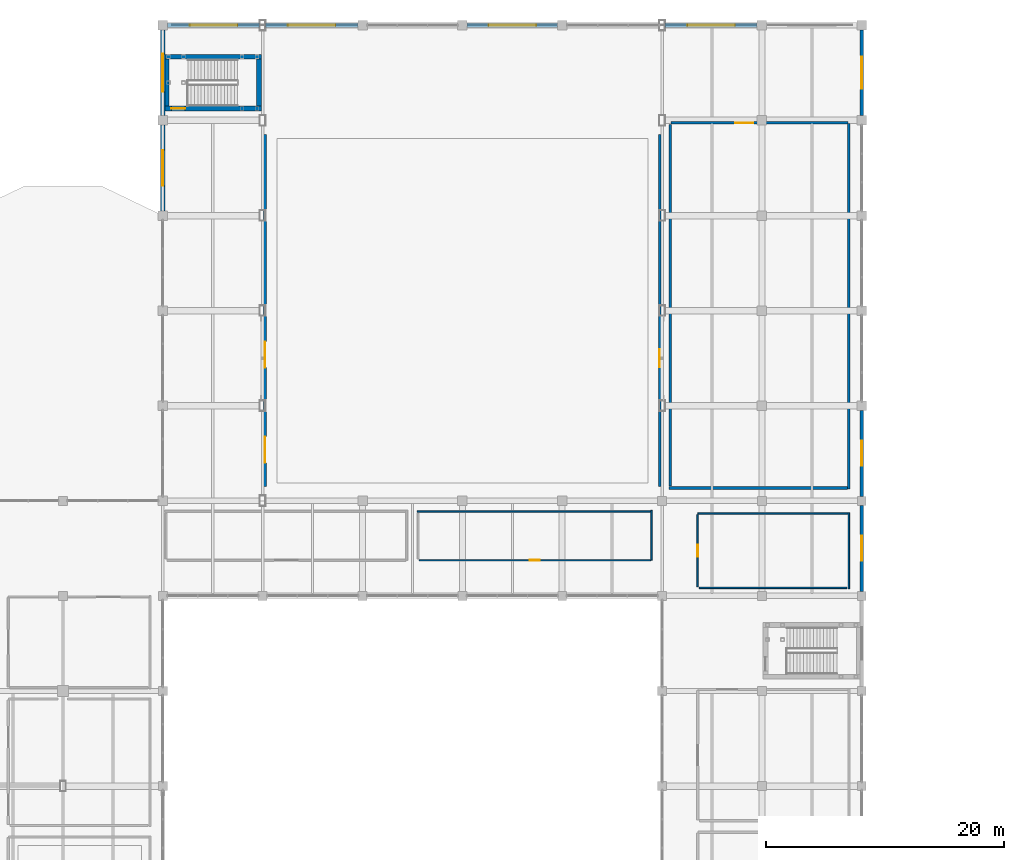
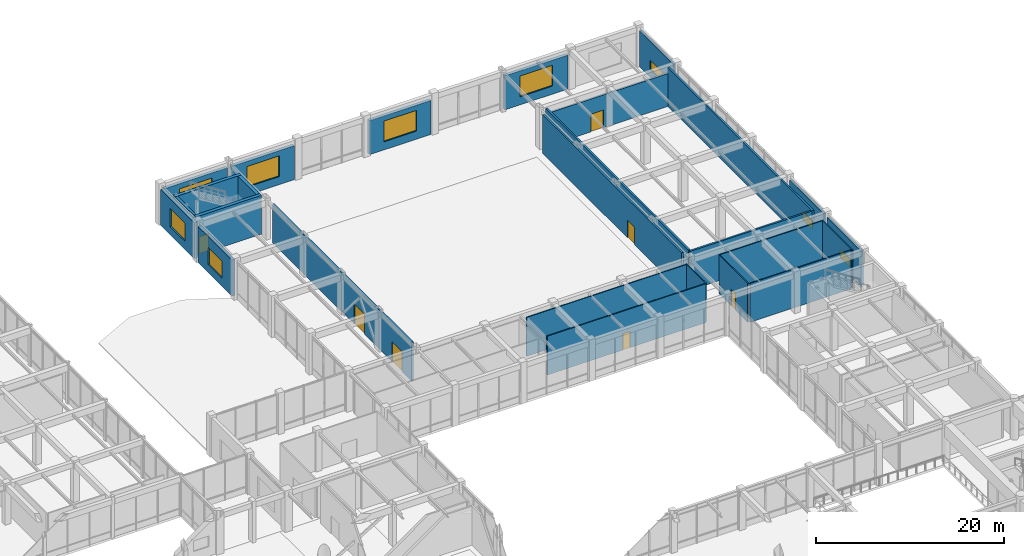
# One storey, part 61 of 79: 26 walls, 9 windows, 7 doors, 16 openings.
"""IFC4 building model written with IfcOpenShell, lengths in metres."""

from ifc_helpers import new_model, si_unit, direction, frame, frame_2d, origin, place, context, subcontext, project, spatial, rectangle, extrude, material, layer, layer_set, type_object, element, fill, save


model = new_model("IFC4")

# Units and contexts
model_context = context("Model", 3, precision=1e-05, world=origin(), true_north=direction((0.0, 1.0)))
body_context = subcontext(model_context, "Body", "Model", "MODEL_VIEW")
ifc_project = project(units=[si_unit("LENGTHUNIT", "METRE"), si_unit("AREAUNIT", "SQUARE_METRE"), si_unit("VOLUMEUNIT", "CUBIC_METRE"), si_unit("PLANEANGLEUNIT", "RADIAN"), si_unit("MASSUNIT", "GRAM", prefix="KILO")], contexts=[model_context])

# Site, building, storey
site_placement = place(None, origin())
site = spatial("IfcSite", under=ifc_project, at=site_placement, CompositionType="ELEMENT")
building_placement = place(site_placement, origin())
building = spatial("IfcBuilding", under=site, at=building_placement, Name="Naruveol Harbour Congress Hotel", CompositionType="ELEMENT")
storey_placement = place(building_placement, frame((0.0, 0.0, 6.0)))
storey = spatial("IfcBuildingStorey", under=building, at=storey_placement, Name="L01", CompositionType="ELEMENT", Elevation=6.0)

# Wall, opening, window
ifc_material_1 = material(Name="Precast concrete C40/50", Category="concrete")
ifc_layer_1 = layer(ifc_material_1, 0.280029296875)
ifc_layer_set_1 = layer_set([ifc_layer_1], Name="Precast concrete C40/50")
wall_type_1 = type_object("IfcWallType", Name="ARCHITECTURAL PRECAST FACADE WALL 280", PredefinedType="SOLIDWALL", material=ifc_layer_set_1)
wall_1_placement = place(storey_placement, frame((126.0, 79.60009765625, 0.0), z_axis=(0.0, 0.0, 1.0), x_axis=(0.0, -1.0, 0.0)))
wall_1 = element("IfcWall", 1, at=wall_1_placement, inside=storey, type_object=wall_type_1, Name="Ballroom east garden wall EW-280", PredefinedType="SOLIDWALL", context=body_context, shape_type="SweptSolid", body=[
    extrude(rectangle(XDim=7.22509765625, YDim=0.280029296875, at=frame_2d((3.612548828125, 0.0))), origin(), (0.0, 0.0, 1.0), 4.669921875),
])
opening_1_placement = place(wall_1_placement, frame((2.56201171875, 0.0, 1.050048828125)))
opening_1 = element("IfcOpeningElement", 2, at=opening_1_placement, cuts=wall_1, Name="Opening W-17", PredefinedType="OPENING", context=body_context, shape_type="SweptSolid", body=[
    extrude(rectangle(XDim=2.10009765625, YDim=1.10009765625, at=frame_2d((1.050048828125, 0.550048828125))), frame((0.0, 0.14990234375, 0.0), z_axis=(0.0, -1.0, 0.0), x_axis=(1.0, 0.0, 0.0)), (0.0, 0.0, 1.0), 0.300048828125),
])
ifc_material_2 = material(Name="Low-E Triple Glazing in Thermal Aluminium", Category="aluminium")
window_type_1 = type_object("IfcWindowType", Name="SPA HIGHLIGHT WINDOW 2100X1100", PartitioningType="DOUBLE_PANEL_VERTICAL", PredefinedType="WINDOW", material=ifc_material_2)
window_1_placement = place(opening_1_placement, origin())
window_1 = element("IfcWindow", 3, at=window_1_placement, inside=storey, type_object=window_type_1, Name="Window W-17 #120", OverallHeight=1.10009765625, OverallWidth=2.10009765625, PartitioningType="DOUBLE_PANEL_VERTICAL", PredefinedType="WINDOW", context=body_context, shape_type="SweptSolid", body=[
    extrude(rectangle(XDim=2.10009765625, YDim=1.10009765625, at=frame_2d((1.050048828125, 0.550048828125))), frame((0.0, 0.030029296875, 0.0), z_axis=(0.0, -1.0, 0.0), x_axis=(1.0, 0.0, 0.0)), (0.0, 0.0, 1.0), 0.06005859375),
])
fill(opening_1, window_1)

wall_2_placement = place(storey_placement, frame((126.0, 111.60009765625, 0.0), z_axis=(0.0, 0.0, 1.0), x_axis=(0.0, -1.0, 0.0)))
wall_2 = element("IfcWall", 4, at=wall_2_placement, inside=storey, type_object=wall_type_1, Name="Ballroom east garden wall EW-280", PredefinedType="SOLIDWALL", context=body_context, shape_type="SweptSolid", body=[
    extrude(rectangle(XDim=7.2001953125, YDim=0.280029296875, at=frame_2d((3.60009765625, 0.0))), origin(), (0.0, 0.0, 1.0), 4.669921875),
])
opening_2_placement = place(wall_2_placement, frame((2.25, 0.0, 1.050048828125)))
opening_2 = element("IfcOpeningElement", 5, at=opening_2_placement, cuts=wall_2, Name="Opening W-18", PredefinedType="OPENING", context=body_context, shape_type="SweptSolid", body=[
    extrude(rectangle(XDim=2.699951171875, YDim=1.199951171875, at=frame_2d((1.35009765625, 0.60009765625))), frame((0.0, 0.14990234375, 0.0), z_axis=(0.0, -1.0, 0.0), x_axis=(1.0, 0.0, 0.0)), (0.0, 0.0, 1.0), 0.300048828125),
])
ifc_material_3 = material(Name="Low-E Triple Glazing in Thermal Aluminium", Category="aluminium")
window_type_2 = type_object("IfcWindowType", Name="BANQUET KITCHEN CLERESTORY 2700X1200", PartitioningType="DOUBLE_PANEL_VERTICAL", PredefinedType="WINDOW", material=ifc_material_3)
window_2_placement = place(opening_2_placement, origin())
window_2 = element("IfcWindow", 6, at=window_2_placement, inside=storey, type_object=window_type_2, Name="Window W-18 #121", OverallHeight=1.199951171875, OverallWidth=2.699951171875, PartitioningType="DOUBLE_PANEL_VERTICAL", PredefinedType="WINDOW", context=body_context, shape_type="SweptSolid", body=[
    extrude(rectangle(XDim=2.699951171875, YDim=1.199951171875, at=frame_2d((1.35009765625, 0.60009765625))), frame((0.0, 0.030029296875, 0.0), z_axis=(0.0, -1.0, 0.0), x_axis=(1.0, 0.0, 0.0)), (0.0, 0.0, 1.0), 0.06005859375),
])
fill(opening_2, window_2)

wall_3_placement = place(storey_placement, frame((126.0, 71.625, 0.0), z_axis=(0.0, 0.0, 1.0), x_axis=(0.0, -1.0, 0.0)))
wall_3 = element("IfcWall", 7, at=wall_3_placement, inside=storey, type_object=wall_type_1, Name="Courtyard wing east garden wall EW-280", PredefinedType="SOLIDWALL", context=body_context, shape_type="SweptSolid", body=[
    extrude(rectangle(XDim=7.25, YDim=0.280029296875, at=frame_2d((3.625, 0.0))), origin(), (0.0, 0.0, 1.0), 4.669921875),
])
opening_3_placement = place(wall_3_placement, frame((2.574951171875, 0.0, 1.0)))
opening_3 = element("IfcOpeningElement", 8, at=opening_3_placement, cuts=wall_3, Name="Opening W-17", PredefinedType="OPENING", context=body_context, shape_type="SweptSolid", body=[
    extrude(rectangle(XDim=2.10009765625, YDim=1.10009765625, at=frame_2d((1.050048828125, 0.550048828125))), frame((0.0, 0.14990234375, 0.0), z_axis=(0.0, -1.0, 0.0), x_axis=(1.0, 0.0, 0.0)), (0.0, 0.0, 1.0), 0.300048828125),
])
window_3_placement = place(opening_3_placement, origin())
window_3 = element("IfcWindow", 9, at=window_3_placement, inside=storey, type_object=window_type_1, Name="Window W-17 #141", OverallHeight=1.10009765625, OverallWidth=2.10009765625, PartitioningType="DOUBLE_PANEL_VERTICAL", PredefinedType="WINDOW", context=body_context, shape_type="SweptSolid", body=[
    extrude(rectangle(XDim=2.10009765625, YDim=1.10009765625, at=frame_2d((1.050048828125, 0.550048828125))), frame((0.0, 0.030029296875, 0.0), z_axis=(0.0, -1.0, 0.0), x_axis=(1.0, 0.0, 0.0)), (0.0, 0.0, 1.0), 0.06005859375),
])
fill(opening_3, window_3)

# Wall, openings, doors
ifc_material_4 = material(Name="Concrete C40/50", Category="concrete")
ifc_layer_2 = layer(ifc_material_4, 0.219970703125)
ifc_layer_set_2 = layer_set([ifc_layer_2], Name="Concrete C40/50")
wall_type_2 = type_object("IfcWallType", Name="FIRE COMPARTMENT AND LOBBY WALL 220 EI120", PredefinedType="PARTITIONING", material=ifc_layer_set_2)
wall_4_placement = place(storey_placement, frame((75.800048828125, 73.199951171875, 0.0), z_axis=(0.0, 0.0, 1.0), x_axis=(0.0, 1.0, 0.0)))
wall_4 = element("IfcWall", 10, at=wall_4_placement, inside=storey, type_object=wall_type_2, Name="Grand Ballroom west acoustic wall FW-220", PredefinedType="PARTITIONING", context=body_context, shape_type="SweptSolid", body=[
    extrude(rectangle(XDim=29.60009765625, YDim=0.219970703125, at=frame_2d((14.800048828125, 0.0))), origin(), (0.0, 0.0, 1.0), 5.044921875),
])
opening_4_placement = place(wall_4_placement, frame((2.0, 0.0, 0.0)))
opening_4 = element("IfcOpeningElement", 11, at=opening_4_placement, cuts=wall_4, Name="Opening AD-BL1", PredefinedType="OPENING", context=body_context, shape_type="SweptSolid", body=[
    extrude(rectangle(XDim=2.199951171875, YDim=2.60009765625, at=frame_2d((1.10009765625, 1.300048828125))), frame((0.0, 0.119873046875, 0.0), z_axis=(0.0, -1.0, 0.0), x_axis=(1.0, 0.0, 0.0)), (0.0, 0.0, 1.0), 0.239990234375),
])
opening_5_placement = place(wall_4_placement, frame((10.0, 0.0, 0.0)))
opening_5 = element("IfcOpeningElement", 12, at=opening_5_placement, cuts=wall_4, Name="Opening AD-BL2", PredefinedType="OPENING", context=body_context, shape_type="SweptSolid", body=[
    extrude(rectangle(XDim=2.199951171875, YDim=2.60009765625, at=frame_2d((1.10009765625, 1.300048828125))), frame((0.0, 0.119873046875, 0.0), z_axis=(0.0, -1.0, 0.0), x_axis=(1.0, 0.0, 0.0)), (0.0, 0.0, 1.0), 0.239990234375),
])
ifc_material_5 = material(Name="Timber & Steel Acoustic Leaf", Category="steel")
door_type_1 = type_object("IfcDoorType", Name="GRAND BALLROOM ACOUSTIC PORTAL DOOR 2200X2600", OperationType="DOUBLE_DOOR_SINGLE_SWING", PredefinedType="DOOR", material=ifc_material_5)
door_1_placement = place(opening_4_placement, origin())
door_1 = element("IfcDoor", 13, at=door_1_placement, inside=storey, type_object=door_type_1, Name="Grand Ballroom Portal Door AD-BL1", OperationType="DOUBLE_DOOR_SINGLE_SWING", OverallHeight=2.60009765625, OverallWidth=2.199951171875, PredefinedType="DOOR", context=body_context, shape_type="SweptSolid", body=[
    extrude(rectangle(XDim=2.199951171875, YDim=2.60009765625, at=frame_2d((1.10009765625, 1.300048828125))), frame((0.0, 0.02490234375, 0.0), z_axis=(0.0, -1.0, 0.0), x_axis=(1.0, 0.0, 0.0)), (0.0, 0.0, 1.0), 0.050048828125),
])
fill(opening_4, door_1)
door_2_placement = place(opening_5_placement, origin())
door_2 = element("IfcDoor", 14, at=door_2_placement, inside=storey, type_object=door_type_1, Name="Grand Ballroom Portal Door AD-BL2", OperationType="DOUBLE_DOOR_SINGLE_SWING", OverallHeight=2.60009765625, OverallWidth=2.199951171875, PredefinedType="DOOR", context=body_context, shape_type="SweptSolid", body=[
    extrude(rectangle(XDim=2.199951171875, YDim=2.60009765625, at=frame_2d((1.10009765625, 1.300048828125))), frame((0.0, 0.02490234375, 0.0), z_axis=(0.0, -1.0, 0.0), x_axis=(1.0, 0.0, 0.0)), (0.0, 0.0, 1.0), 0.050048828125),
])
fill(opening_5, door_2)

# Wall, opening, door
wall_5_placement = place(storey_placement, frame((109.0, 73.199951171875, 0.0), z_axis=(0.0, 0.0, 1.0), x_axis=(0.0, 1.0, 0.0)))
wall_5 = element("IfcWall", 15, at=wall_5_placement, inside=storey, type_object=wall_type_2, Name="Grand Ballroom east service wall FW-220", PredefinedType="PARTITIONING", context=body_context, shape_type="SweptSolid", body=[
    extrude(rectangle(XDim=29.60009765625, YDim=0.219970703125, at=frame_2d((14.800048828125, 0.0))), origin(), (0.0, 0.0, 1.0), 5.044921875),
])
opening_6_placement = place(wall_5_placement, frame((10.050048828125, 0.0, 0.0)))
opening_6 = element("IfcOpeningElement", 16, at=opening_6_placement, cuts=wall_5, Name="Opening FD-BLK1", PredefinedType="OPENING", context=body_context, shape_type="SweptSolid", body=[
    extrude(rectangle(XDim=1.5, YDim=2.300048828125, at=frame_2d((0.75, 1.14990234375))), frame((0.0, 0.119873046875, 0.0), z_axis=(0.0, -1.0, 0.0), x_axis=(1.0, 0.0, 0.0)), (0.0, 0.0, 1.0), 0.239990234375),
])
ifc_material_6 = material(Name="Timber & Steel Acoustic Leaf", Category="steel")
door_type_2 = type_object("IfcDoorType", Name="BANQUET KITCHEN SERVICE FIRE DOOR 1500X2300", OperationType="DOUBLE_DOOR_SINGLE_SWING", PredefinedType="DOOR", material=ifc_material_6)
door_3_placement = place(opening_6_placement, origin())
door_3 = element("IfcDoor", 17, at=door_3_placement, inside=storey, type_object=door_type_2, Name="Ballroom Banquet Service Fire Door FD-BLK1", OperationType="DOUBLE_DOOR_SINGLE_SWING", OverallHeight=2.300048828125, OverallWidth=1.5, PredefinedType="DOOR", context=body_context, shape_type="SweptSolid", body=[
    extrude(rectangle(XDim=1.5, YDim=2.300048828125, at=frame_2d((0.75, 1.14990234375))), frame((0.0, 0.02490234375, 0.0), z_axis=(0.0, -1.0, 0.0), x_axis=(1.0, 0.0, 0.0)), (0.0, 0.0, 1.0), 0.050048828125),
])
fill(opening_6, door_3)

wall_6_placement = place(storey_placement, frame((109.9599609375, 103.800048828125, 0.0), z_axis=(0.0, 0.0, 1.0), x_axis=(1.0, 0.0, 0.0)))
wall_6 = element("IfcWall", 18, at=wall_6_placement, inside=storey, type_object=wall_type_2, Name="Banquet Finishing Kitchen north entry wall FW-220", PredefinedType="PARTITIONING", context=body_context, shape_type="SweptSolid", body=[
    extrude(rectangle(XDim=14.880126953125, YDim=0.219970703125, at=frame_2d((7.43994140625, 0.0))), origin(), (0.0, 0.0, 1.0), 4.27001953125),
])
opening_7_placement = place(wall_6_placement, frame((5.39990234375, 0.0, 0.0)))
opening_7 = element("IfcOpeningElement", 19, at=opening_7_placement, cuts=wall_6, Name="Opening FD-KT-41", PredefinedType="OPENING", context=body_context, shape_type="SweptSolid", body=[
    extrude(rectangle(XDim=1.5, YDim=2.300048828125, at=frame_2d((0.75, 1.14990234375))), frame((0.0, 0.119873046875, 0.0), z_axis=(0.0, -1.0, 0.0), x_axis=(1.0, 0.0, 0.0)), (0.0, 0.0, 1.0), 0.239990234375),
])
door_4_placement = place(opening_7_placement, origin())
door_4 = element("IfcDoor", 20, at=door_4_placement, inside=storey, type_object=door_type_2, Name="Banquet Finishing Kitchen Fire Door", OperationType="DOUBLE_DOOR_SINGLE_SWING", OverallHeight=2.300048828125, OverallWidth=1.5, PredefinedType="DOOR", context=body_context, shape_type="SweptSolid", body=[
    extrude(rectangle(XDim=1.5, YDim=2.300048828125, at=frame_2d((0.75, 1.14990234375))), frame((0.0, 0.02490234375, 0.0), z_axis=(0.0, -1.0, 0.0), x_axis=(1.0, 0.0, 0.0)), (0.0, 0.0, 1.0), 0.050048828125),
])
fill(opening_7, door_4)

# Walls
wall_7_placement = place(storey_placement, frame((109.8798828125, 73.25, 0.0), z_axis=(0.0, 0.0, 1.0), x_axis=(0.0, 1.0, 0.0)))
element("IfcWall", 21, at=wall_7_placement, inside=storey, type_object=wall_type_2, Name="Banquet Finishing Kitchen west partition FW-220", PredefinedType="PARTITIONING", context=body_context, shape_type="SweptSolid", body=[
    extrude(rectangle(XDim=30.409912109375, YDim=0.219970703125, at=frame_2d((15.205078125, 0.0))), origin(), (0.0, 0.0, 1.0), 5.044921875),
])
wall_8_placement = place(storey_placement, frame((124.919921875, 73.0, 0.0), z_axis=(0.0, 0.0, 1.0), x_axis=(0.0, 1.0, 0.0)))
element("IfcWall", 22, at=wall_8_placement, inside=storey, type_object=wall_type_2, Name="Banquet Finishing Kitchen east enclosure partition FW-220", PredefinedType="PARTITIONING", context=body_context, shape_type="SweptSolid", body=[
    extrude(rectangle(XDim=30.748046875, YDim=0.219970703125, at=frame_2d((15.3740234375, 0.0))), origin(), (0.0, 0.0, 1.0), 5.044921875),
])
wall_9_placement = place(storey_placement, frame((109.800048828125, 73.080078125, 0.0), z_axis=(0.0, 0.0, 1.0), x_axis=(1.0, 0.0, 0.0)))
element("IfcWall", 23, at=wall_9_placement, inside=storey, type_object=wall_type_2, Name="Banquet Finishing Kitchen south enclosure partition FW-220", PredefinedType="PARTITIONING", context=body_context, shape_type="SweptSolid", body=[
    extrude(rectangle(XDim=15.010009765625, YDim=0.219970703125, at=frame_2d((7.5048828125, 0.0))), origin(), (0.0, 0.0, 1.0), 5.044921875),
])

# Wall, opening, window
ifc_material_7 = material(Name="Concrete C40/50", Category="concrete")
ifc_layer_3 = layer(ifc_material_7, 0.3798828125)
ifc_layer_set_3 = layer_set([ifc_layer_3], Name="Concrete C40/50")
wall_type_3 = type_object("IfcWallType", Name="INSULATED GRANITE FACADE WALL 380", PredefinedType="SOLIDWALL", material=ifc_layer_set_3)
wall_10_placement = place(storey_placement, frame((67.199951171875, 96.39990234375, 0.0), z_axis=(0.0, 0.0, 1.0), x_axis=(0.0, 1.0, 0.0)))
wall_10 = element("IfcWall", 24, at=wall_10_placement, inside=storey, type_object=wall_type_3, Name="Ballroom west forecourt wall EW-380", PredefinedType="SOLIDWALL", context=body_context, shape_type="SweptSolid", body=[
    extrude(rectangle(XDim=7.2001953125, YDim=0.3798828125, at=frame_2d((3.60009765625, 0.0))), origin(), (0.0, 0.0, 1.0), 4.669921875),
])
opening_8_placement = place(wall_10_placement, frame((2.10009765625, 0.0, 1.050048828125)))
opening_8 = element("IfcOpeningElement", 25, at=opening_8_placement, cuts=wall_10, Name="Opening W-10", PredefinedType="OPENING", context=body_context, shape_type="SweptSolid", body=[
    extrude(rectangle(XDim=3.0, YDim=2.199951171875, at=frame_2d((1.5, 1.10009765625))), frame((0.0, 0.199951171875, 0.0), z_axis=(0.0, -1.0, 0.0), x_axis=(1.0, 0.0, 0.0)), (0.0, 0.0, 1.0), 0.39990234375),
])
ifc_material_8 = material(Name="Low-E Triple Glazing in Thermal Aluminium", Category="aluminium")
window_type_3 = type_object("IfcWindowType", Name="SKY LOUNGE RIBBON WINDOW 3000X2200", PartitioningType="DOUBLE_PANEL_VERTICAL", PredefinedType="WINDOW", material=ifc_material_8)
window_4_placement = place(opening_8_placement, origin())
window_4 = element("IfcWindow", 26, at=window_4_placement, inside=storey, type_object=window_type_3, Name="Window W-10 #113", OverallHeight=2.199951171875, OverallWidth=3.0, PartitioningType="DOUBLE_PANEL_VERTICAL", PredefinedType="WINDOW", context=body_context, shape_type="SweptSolid", body=[
    extrude(rectangle(XDim=3.0, YDim=2.199951171875, at=frame_2d((1.5, 1.10009765625))), frame((0.0, 0.030029296875, 0.0), z_axis=(0.0, -1.0, 0.0), x_axis=(1.0, 0.0, 0.0)), (0.0, 0.0, 1.0), 0.06005859375),
])
fill(opening_8, window_4)

wall_11_placement = place(storey_placement, frame((67.199951171875, 104.39990234375, 0.0), z_axis=(0.0, 0.0, 1.0), x_axis=(0.0, 1.0, 0.0)))
wall_11 = element("IfcWall", 27, at=wall_11_placement, inside=storey, type_object=wall_type_3, Name="Ballroom west forecourt wall EW-380", PredefinedType="SOLIDWALL", context=body_context, shape_type="SweptSolid", body=[
    extrude(rectangle(XDim=7.2001953125, YDim=0.3798828125, at=frame_2d((3.60009765625, 0.0))), origin(), (0.0, 0.0, 1.0), 4.669921875),
])
opening_9_placement = place(wall_11_placement, frame((2.0, 0.0, 1.050048828125)))
opening_9 = element("IfcOpeningElement", 28, at=opening_9_placement, cuts=wall_11, Name="Opening W-11", PredefinedType="OPENING", context=body_context, shape_type="SweptSolid", body=[
    extrude(rectangle(XDim=3.199951171875, YDim=2.39990234375, at=frame_2d((1.60009765625, 1.199951171875))), frame((0.0, 0.199951171875, 0.0), z_axis=(0.0, -1.0, 0.0), x_axis=(1.0, 0.0, 0.0)), (0.0, 0.0, 1.0), 0.39990234375),
])
ifc_material_9 = material(Name="Low-E Triple Glazing in Thermal Aluminium", Category="aluminium")
window_type_4 = type_object("IfcWindowType", Name="BRASSERIE WATERFRONT WINDOW 3200X2400", PartitioningType="DOUBLE_PANEL_VERTICAL", PredefinedType="WINDOW", material=ifc_material_9)
window_5_placement = place(opening_9_placement, origin())
window_5 = element("IfcWindow", 29, at=window_5_placement, inside=storey, type_object=window_type_4, Name="Window W-11 #114", OverallHeight=2.39990234375, OverallWidth=3.199951171875, PartitioningType="DOUBLE_PANEL_VERTICAL", PredefinedType="WINDOW", context=body_context, shape_type="SweptSolid", body=[
    extrude(rectangle(XDim=3.199951171875, YDim=2.39990234375, at=frame_2d((1.60009765625, 1.199951171875))), frame((0.0, 0.030029296875, 0.0), z_axis=(0.0, -1.0, 0.0), x_axis=(1.0, 0.0, 0.0)), (0.0, 0.0, 1.0), 0.06005859375),
])
fill(opening_9, window_5)

wall_12_placement = place(storey_placement, frame((67.60009765625, 112.0, 0.0), z_axis=(0.0, 0.0, 1.0), x_axis=(1.0, 0.0, 0.0)))
wall_12 = element("IfcWall", 30, at=wall_12_placement, inside=storey, type_object=wall_type_3, Name="Ballroom north facade EW-380", PredefinedType="SOLIDWALL", context=body_context, shape_type="SweptSolid", body=[
    extrude(rectangle(XDim=7.75, YDim=0.3798828125, at=frame_2d((3.875, 0.0))), origin(), (0.0, 0.0, 1.0), 4.419921875),
])
opening_10_placement = place(wall_12_placement, frame((1.875, 0.0, 1.050048828125)))
opening_10 = element("IfcOpeningElement", 31, at=opening_10_placement, cuts=wall_12, Name="Opening W-13", PredefinedType="OPENING", context=body_context, shape_type="SweptSolid", body=[
    extrude(rectangle(XDim=4.0, YDim=2.699951171875, at=frame_2d((2.0, 1.35009765625))), frame((0.0, 0.199951171875, 0.0), z_axis=(0.0, -1.0, 0.0), x_axis=(1.0, 0.0, 0.0)), (0.0, 0.0, 1.0), 0.39990234375),
])
ifc_material_10 = material(Name="Low-E Triple Glazing in Thermal Aluminium", Category="aluminium")
window_type_5 = type_object("IfcWindowType", Name="BALLROOM GALLERY WINDOW 4000X2700", PartitioningType="DOUBLE_PANEL_VERTICAL", PredefinedType="WINDOW", material=ifc_material_10)
window_6_placement = place(opening_10_placement, origin())
window_6 = element("IfcWindow", 32, at=window_6_placement, inside=storey, type_object=window_type_5, Name="Window W-13 #115", OverallHeight=2.699951171875, OverallWidth=4.0, PartitioningType="DOUBLE_PANEL_VERTICAL", PredefinedType="WINDOW", context=body_context, shape_type="SweptSolid", body=[
    extrude(rectangle(XDim=4.0, YDim=2.699951171875, at=frame_2d((2.0, 1.35009765625))), frame((0.0, 0.030029296875, 0.0), z_axis=(0.0, -1.0, 0.0), x_axis=(1.0, 0.0, 0.0)), (0.0, 0.0, 1.0), 0.06005859375),
])
fill(opening_10, window_6)

wall_13_placement = place(storey_placement, frame((75.85009765625, 112.0, 0.0), z_axis=(0.0, 0.0, 1.0), x_axis=(1.0, 0.0, 0.0)))
wall_13 = element("IfcWall", 33, at=wall_13_placement, inside=storey, type_object=wall_type_3, Name="Ballroom north facade EW-380", PredefinedType="SOLIDWALL", context=body_context, shape_type="SweptSolid", body=[
    extrude(rectangle(XDim=7.75, YDim=0.3798828125, at=frame_2d((3.875, 0.0))), origin(), (0.0, 0.0, 1.0), 4.419921875),
])
opening_11_placement = place(wall_13_placement, frame((1.875, 0.0, 1.050048828125)))
opening_11 = element("IfcOpeningElement", 34, at=opening_11_placement, cuts=wall_13, Name="Opening W-13", PredefinedType="OPENING", context=body_context, shape_type="SweptSolid", body=[
    extrude(rectangle(XDim=4.0, YDim=2.699951171875, at=frame_2d((2.0, 1.35009765625))), frame((0.0, 0.199951171875, 0.0), z_axis=(0.0, -1.0, 0.0), x_axis=(1.0, 0.0, 0.0)), (0.0, 0.0, 1.0), 0.39990234375),
])
window_7_placement = place(opening_11_placement, origin())
window_7 = element("IfcWindow", 35, at=window_7_placement, inside=storey, type_object=window_type_5, Name="Window W-13 #116", OverallHeight=2.699951171875, OverallWidth=4.0, PartitioningType="DOUBLE_PANEL_VERTICAL", PredefinedType="WINDOW", context=body_context, shape_type="SweptSolid", body=[
    extrude(rectangle(XDim=4.0, YDim=2.699951171875, at=frame_2d((2.0, 1.35009765625))), frame((0.0, 0.030029296875, 0.0), z_axis=(0.0, -1.0, 0.0), x_axis=(1.0, 0.0, 0.0)), (0.0, 0.0, 1.0), 0.06005859375),
])
fill(opening_11, window_7)

wall_14_placement = place(storey_placement, frame((92.800048828125, 112.0, 0.0), z_axis=(0.0, 0.0, 1.0), x_axis=(1.0, 0.0, 0.0)))
wall_14 = element("IfcWall", 36, at=wall_14_placement, inside=storey, type_object=wall_type_3, Name="Ballroom north facade EW-380", PredefinedType="SOLIDWALL", context=body_context, shape_type="SweptSolid", body=[
    extrude(rectangle(XDim=7.599853515625, YDim=0.3798828125, at=frame_2d((3.7998046875, 0.0))), origin(), (0.0, 0.0, 1.0), 4.419921875),
])
opening_12_placement = place(wall_14_placement, frame((1.800048828125, 0.0, 1.050048828125)))
opening_12 = element("IfcOpeningElement", 37, at=opening_12_placement, cuts=wall_14, Name="Opening W-13", PredefinedType="OPENING", context=body_context, shape_type="SweptSolid", body=[
    extrude(rectangle(XDim=4.0, YDim=2.699951171875, at=frame_2d((2.0, 1.35009765625))), frame((0.0, 0.199951171875, 0.0), z_axis=(0.0, -1.0, 0.0), x_axis=(1.0, 0.0, 0.0)), (0.0, 0.0, 1.0), 0.39990234375),
])
window_8_placement = place(opening_12_placement, origin())
window_8 = element("IfcWindow", 38, at=window_8_placement, inside=storey, type_object=window_type_5, Name="Window W-13 #117", OverallHeight=2.699951171875, OverallWidth=4.0, PartitioningType="DOUBLE_PANEL_VERTICAL", PredefinedType="WINDOW", context=body_context, shape_type="SweptSolid", body=[
    extrude(rectangle(XDim=4.0, YDim=2.699951171875, at=frame_2d((2.0, 1.35009765625))), frame((0.0, 0.030029296875, 0.0), z_axis=(0.0, -1.0, 0.0), x_axis=(1.0, 0.0, 0.0)), (0.0, 0.0, 1.0), 0.06005859375),
])
fill(opening_12, window_8)

wall_15_placement = place(storey_placement, frame((109.449951171875, 112.0, 0.0), z_axis=(0.0, 0.0, 1.0), x_axis=(1.0, 0.0, 0.0)))
wall_15 = element("IfcWall", 39, at=wall_15_placement, inside=storey, type_object=wall_type_3, Name="Ballroom north facade EW-380", PredefinedType="SOLIDWALL", context=body_context, shape_type="SweptSolid", body=[
    extrude(rectangle(XDim=7.75, YDim=0.3798828125, at=frame_2d((3.875, 0.0))), origin(), (0.0, 0.0, 1.0), 4.419921875),
])
opening_13_placement = place(wall_15_placement, frame((1.875, 0.0, 1.050048828125)))
opening_13 = element("IfcOpeningElement", 40, at=opening_13_placement, cuts=wall_15, Name="Opening W-13", PredefinedType="OPENING", context=body_context, shape_type="SweptSolid", body=[
    extrude(rectangle(XDim=4.0, YDim=2.699951171875, at=frame_2d((2.0, 1.35009765625))), frame((0.0, 0.199951171875, 0.0), z_axis=(0.0, -1.0, 0.0), x_axis=(1.0, 0.0, 0.0)), (0.0, 0.0, 1.0), 0.39990234375),
])
window_9_placement = place(opening_13_placement, origin())
window_9 = element("IfcWindow", 41, at=window_9_placement, inside=storey, type_object=window_type_5, Name="Window W-13 #118", OverallHeight=2.699951171875, OverallWidth=4.0, PartitioningType="DOUBLE_PANEL_VERTICAL", PredefinedType="WINDOW", context=body_context, shape_type="SweptSolid", body=[
    extrude(rectangle(XDim=4.0, YDim=2.699951171875, at=frame_2d((2.0, 1.35009765625))), frame((0.0, 0.030029296875, 0.0), z_axis=(0.0, -1.0, 0.0), x_axis=(1.0, 0.0, 0.0)), (0.0, 0.0, 1.0), 0.06005859375),
])
fill(opening_13, window_9)

# Wall, opening, door
ifc_material_11 = material(Name="Concrete C50/60", Category="concrete")
ifc_layer_4 = layer(ifc_material_11, 0.39990234375)
ifc_layer_set_4 = layer_set([ifc_layer_4], Name="Concrete C50/60")
wall_type_4 = type_object("IfcWallType", Name="RC CORE SHEAR WALL 400 EI120", PredefinedType="SHEAR", material=ifc_layer_set_4)
wall_16_placement = place(storey_placement, frame((67.39990234375, 105.0, 0.0), z_axis=(0.0, 0.0, 1.0), x_axis=(1.0, 0.0, 0.0)))
wall_16 = element("IfcWall", 42, at=wall_16_placement, inside=storey, type_object=wall_type_4, Name="Stair ST8 south core wall CW-400", PredefinedType="SHEAR", context=body_context, shape_type="SweptSolid", body=[
    extrude(rectangle(XDim=8.10009765625, YDim=0.39990234375, at=frame_2d((4.050048828125, 0.0))), origin(), (0.0, 0.0, 1.0), 5.044921875),
])
opening_14_placement = place(wall_16_placement, frame((0.52001953125, 0.0, 0.0)))
opening_14 = element("IfcOpeningElement", 43, at=opening_14_placement, cuts=wall_16, Name="Opening FD-ST8-L01", PredefinedType="OPENING", context=body_context, shape_type="SweptSolid", body=[
    extrude(rectangle(XDim=1.159912109375, YDim=2.199951171875, at=frame_2d((0.580078125, 1.10009765625))), frame((0.0, 0.2099609375, 0.0), z_axis=(0.0, -1.0, 0.0), x_axis=(1.0, 0.0, 0.0)), (0.0, 0.0, 1.0), 0.419921875),
])
ifc_material_12 = material(Name="Timber & Steel Acoustic Leaf", Category="steel")
door_type_3 = type_object("IfcDoorType", Name="SPECIAL ESCAPE STAIR FIRE DOOR 1160X2200", OperationType="NOTDEFINED", PredefinedType="DOOR", material=ifc_material_12)
door_5_placement = place(opening_14_placement, origin())
door_5 = element("IfcDoor", 44, at=door_5_placement, inside=storey, type_object=door_type_3, Name="Enclosed Exit Stair Door ST8 L01", OperationType="SINGLE_SWING_LEFT", OverallHeight=2.199951171875, OverallWidth=1.159912109375, PredefinedType="DOOR", context=body_context, shape_type="SweptSolid", body=[
    extrude(rectangle(XDim=1.159912109375, YDim=2.199951171875, at=frame_2d((0.580078125, 1.10009765625))), frame((0.0, 0.02490234375, 0.0), z_axis=(0.0, -1.0, 0.0), x_axis=(1.0, 0.0, 0.0)), (0.0, 0.0, 1.0), 0.050048828125),
])
fill(opening_14, door_5)

# Walls
wall_17_placement = place(storey_placement, frame((75.300048828125, 105.205078125, 0.0), z_axis=(0.0, 0.0, 1.0), x_axis=(0.0, 1.0, 0.0)))
element("IfcWall", 45, at=wall_17_placement, inside=storey, type_object=wall_type_4, Name="Stair ST8 east core wall CW-400", PredefinedType="SHEAR", context=body_context, shape_type="SweptSolid", body=[
    extrude(rectangle(XDim=3.949951171875, YDim=0.39990234375, at=frame_2d((1.97509765625, 0.0))), origin(), (0.0, 0.0, 1.0), 5.044921875),
])
wall_18_placement = place(storey_placement, frame((67.39990234375, 109.360107421875, 0.0), z_axis=(0.0, 0.0, 1.0), x_axis=(1.0, 0.0, 0.0)))
element("IfcWall", 46, at=wall_18_placement, inside=storey, type_object=wall_type_4, Name="Stair ST8 north core wall CW-400", PredefinedType="SHEAR", context=body_context, shape_type="SweptSolid", body=[
    extrude(rectangle(XDim=8.10009765625, YDim=0.39990234375, at=frame_2d((4.050048828125, 0.0))), origin(), (0.0, 0.0, 1.0), 5.044921875),
])
ifc_material_13 = material(Name="Concrete C50/60", Category="concrete")
ifc_layer_5 = layer(ifc_material_13, 0.300048828125)
ifc_layer_set_5 = layer_set([ifc_layer_5], Name="Concrete C50/60")
wall_type_5 = type_object("IfcWallType", Name="RC STAIR AND HOISTWAY SHEAR WALL 300 EI120", PredefinedType="SHEAR", material=ifc_layer_set_5)
wall_19_placement = place(storey_placement, frame((67.550048828125, 105.205078125, 0.0), z_axis=(0.0, 0.0, 1.0), x_axis=(0.0, 1.0, 0.0)))
element("IfcWall", 47, at=wall_19_placement, inside=storey, type_object=wall_type_5, Name="Stair ST8 west core wall SW-300", PredefinedType="SHEAR", context=body_context, shape_type="SweptSolid", body=[
    extrude(rectangle(XDim=3.949951171875, YDim=0.300048828125, at=frame_2d((1.97509765625, 0.0))), origin(), (0.0, 0.0, 1.0), 5.044921875),
])

# Wall, opening, door
ifc_material_14 = material(Name="Acoustic Double Stud Gypsum", Category="gypsum")
ifc_layer_6 = layer(ifc_material_14, 0.125)
ifc_layer_set_6 = layer_set([ifc_layer_6], Name="Acoustic Double Stud Gypsum")
wall_type_6 = type_object("IfcWallType", Name="SERVICE CHASE PARTITION WALL 125", PredefinedType="PARTITIONING", material=ifc_layer_set_6)
wall_20_placement = place(storey_placement, frame((88.760009765625, 67.0, 0.0), z_axis=(0.0, 0.0, 1.0), x_axis=(1.0, 0.0, 0.0)))
wall_20 = element("IfcWall", 48, at=wall_20_placement, inside=storey, type_object=wall_type_6, Name="Public Restrooms south entry wall PW-125", PredefinedType="PARTITIONING", context=body_context, shape_type="SweptSolid", body=[
    extrude(rectangle(XDim=19.47998046875, YDim=0.125, at=frame_2d((9.739990234375, 0.0))), origin(), (0.0, 0.0, 1.0), 5.044921875),
])
opening_15_placement = place(wall_20_placement, frame((9.31005859375, 0.0, 0.0)))
opening_15 = element("IfcOpeningElement", 49, at=opening_15_placement, cuts=wall_20, Name="Opening BD-WC-L01-48", PredefinedType="OPENING", context=body_context, shape_type="SweptSolid", body=[
    extrude(rectangle(XDim=0.860107421875, YDim=2.1201171875, at=frame_2d((0.43017578125, 1.06005859375))), frame((0.0, 0.072509765625, 0.0), z_axis=(0.0, -1.0, 0.0), x_axis=(1.0, 0.0, 0.0)), (0.0, 0.0, 1.0), 0.14501953125),
])
ifc_material_15 = material(Name="Timber & Steel Acoustic Leaf", Category="steel")
door_type_4 = type_object("IfcDoorType", Name="GUEST BATHROOM DOOR 860X2120", OperationType="NOTDEFINED", PredefinedType="DOOR", material=ifc_material_15)
door_6_placement = place(opening_15_placement, origin())
door_6 = element("IfcDoor", 50, at=door_6_placement, inside=storey, type_object=door_type_4, Name="Restroom Door L01", OperationType="SINGLE_SWING_LEFT", OverallHeight=2.1201171875, OverallWidth=0.860107421875, PredefinedType="DOOR", context=body_context, shape_type="SweptSolid", body=[
    extrude(rectangle(XDim=0.860107421875, YDim=2.1201171875, at=frame_2d((0.43017578125, 1.06005859375))), frame((0.0, 0.02490234375, 0.0), z_axis=(0.0, -1.0, 0.0), x_axis=(1.0, 0.0, 0.0)), (0.0, 0.0, 1.0), 0.050048828125),
])
fill(opening_15, door_6)

wall_21_placement = place(storey_placement, frame((112.199951171875, 64.760009765625, 0.0), z_axis=(0.0, 0.0, 1.0), x_axis=(0.0, 1.0, 0.0)))
wall_21 = element("IfcWall", 51, at=wall_21_placement, inside=storey, type_object=wall_type_6, Name="Accessible Restroom west entry wall PW-125", PredefinedType="PARTITIONING", context=body_context, shape_type="SweptSolid", body=[
    extrude(rectangle(XDim=6.080078125, YDim=0.125, at=frame_2d((3.0400390625, 0.0))), origin(), (0.0, 0.0, 1.0), 5.044921875),
])
opening_16_placement = place(wall_21_placement, frame((2.550048828125, 0.0, 0.0)))
opening_16 = element("IfcOpeningElement", 52, at=opening_16_placement, cuts=wall_21, Name="Opening BD-ACC-L01-51", PredefinedType="OPENING", context=body_context, shape_type="SweptSolid", body=[
    extrude(rectangle(XDim=0.97998046875, YDim=2.14990234375, at=frame_2d((0.489990234375, 1.074951171875))), frame((0.0, 0.072509765625, 0.0), z_axis=(0.0, -1.0, 0.0), x_axis=(1.0, 0.0, 0.0)), (0.0, 0.0, 1.0), 0.14501953125),
])
ifc_material_16 = material(Name="Timber & Steel Acoustic Leaf", Category="steel")
door_type_5 = type_object("IfcDoorType", Name="ACCESSIBLE RESTROOM DOOR 980X2150", OperationType="NOTDEFINED", PredefinedType="DOOR", material=ifc_material_16)
door_7_placement = place(opening_16_placement, origin())
door_7 = element("IfcDoor", 53, at=door_7_placement, inside=storey, type_object=door_type_5, Name="Accessible Restroom Door L01", OperationType="SINGLE_SWING_RIGHT", OverallHeight=2.14990234375, OverallWidth=0.97998046875, PredefinedType="DOOR", context=body_context, shape_type="SweptSolid", body=[
    extrude(rectangle(XDim=0.97998046875, YDim=2.14990234375, at=frame_2d((0.489990234375, 1.074951171875))), frame((0.0, 0.02490234375, 0.0), z_axis=(0.0, -1.0, 0.0), x_axis=(1.0, 0.0, 0.0)), (0.0, 0.0, 1.0), 0.050048828125),
])
fill(opening_16, door_7)

# Walls
wall_22_placement = place(storey_placement, frame((112.340087890625, 64.679931640625, 0.0), z_axis=(0.0, 0.0, 1.0), x_axis=(1.0, 0.0, 0.0)))
element("IfcWall", 54, at=wall_22_placement, inside=storey, type_object=wall_type_6, Name="Accessible Restroom south partition PW-125", PredefinedType="PARTITIONING", context=body_context, shape_type="SweptSolid", body=[
    extrude(rectangle(XDim=12.409912109375, YDim=0.125, at=frame_2d((6.205078125, 0.0))), origin(), (0.0, 0.0, 1.0), 5.044921875),
])
wall_23_placement = place(storey_placement, frame((108.320068359375, 67.00390625, 0.0), z_axis=(0.0, 0.0, 1.0), x_axis=(0.0, 1.0, 0.0)))
element("IfcWall", 55, at=wall_23_placement, inside=storey, type_object=wall_type_6, Name="Public Restrooms east enclosure partition PW-125", PredefinedType="PARTITIONING", context=body_context, shape_type="SweptSolid", body=[
    extrude(rectangle(XDim=4.196044921875, YDim=0.125, at=frame_2d((2.09814453125, 0.0))), origin(), (0.0, 0.0, 1.0), 5.044921875),
])
wall_24_placement = place(storey_placement, frame((88.60009765625, 71.1201171875, 0.0), z_axis=(0.0, 0.0, 1.0), x_axis=(1.0, 0.0, 0.0)))
element("IfcWall", 56, at=wall_24_placement, inside=storey, type_object=wall_type_6, Name="Public Restrooms north enclosure partition PW-125", PredefinedType="PARTITIONING", context=body_context, shape_type="SweptSolid", body=[
    extrude(rectangle(XDim=19.657958984375, YDim=0.125, at=frame_2d((9.8291015625, 0.0))), origin(), (0.0, 0.0, 1.0), 5.044921875),
])
wall_25_placement = place(storey_placement, frame((124.919921875, 64.60009765625, 0.0), z_axis=(0.0, 0.0, 1.0), x_axis=(0.0, 1.0, 0.0)))
element("IfcWall", 57, at=wall_25_placement, inside=storey, type_object=wall_type_6, Name="Accessible Restroom east enclosure partition PW-125", PredefinedType="PARTITIONING", context=body_context, shape_type="SweptSolid", body=[
    extrude(rectangle(XDim=6.39990234375, YDim=0.125, at=frame_2d((3.199951171875, 0.0))), origin(), (0.0, 0.0, 1.0), 5.044921875),
])
wall_26_placement = place(storey_placement, frame((112.2041015625, 70.919921875, 0.0), z_axis=(0.0, 0.0, 1.0), x_axis=(1.0, 0.0, 0.0)))
element("IfcWall", 58, at=wall_26_placement, inside=storey, type_object=wall_type_6, Name="Accessible Restroom north enclosure partition PW-125", PredefinedType="PARTITIONING", context=body_context, shape_type="SweptSolid", body=[
    extrude(rectangle(XDim=12.65380859375, YDim=0.125, at=frame_2d((6.326904296875, 0.0))), origin(), (0.0, 0.0, 1.0), 5.044921875),
])

save(model, "model.ifc")
